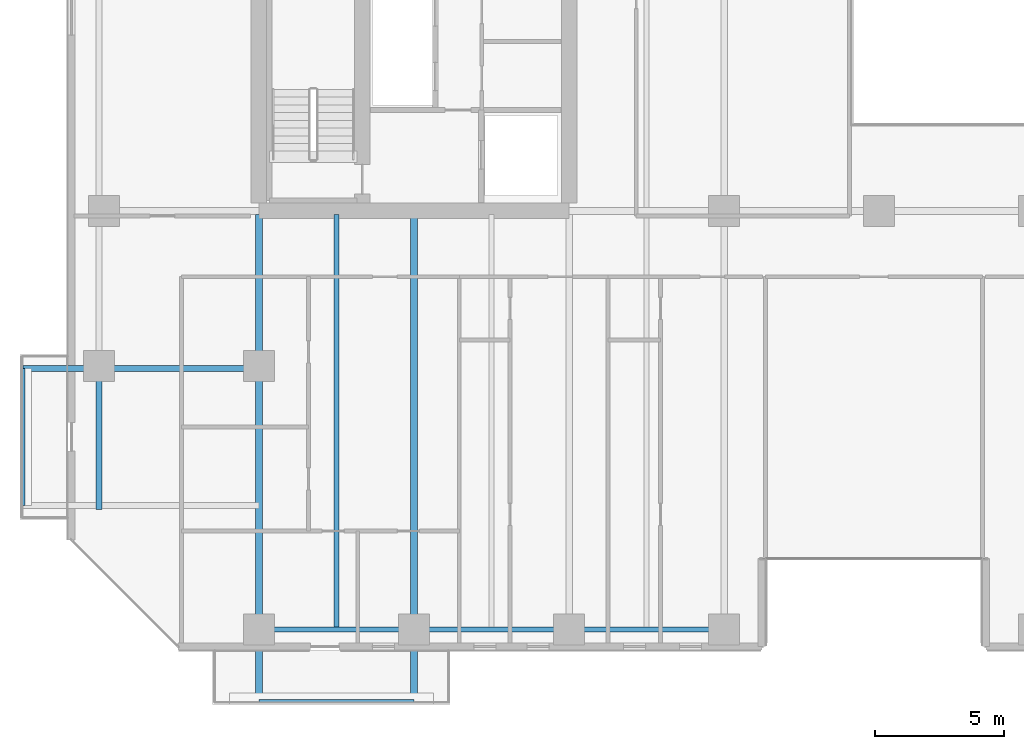
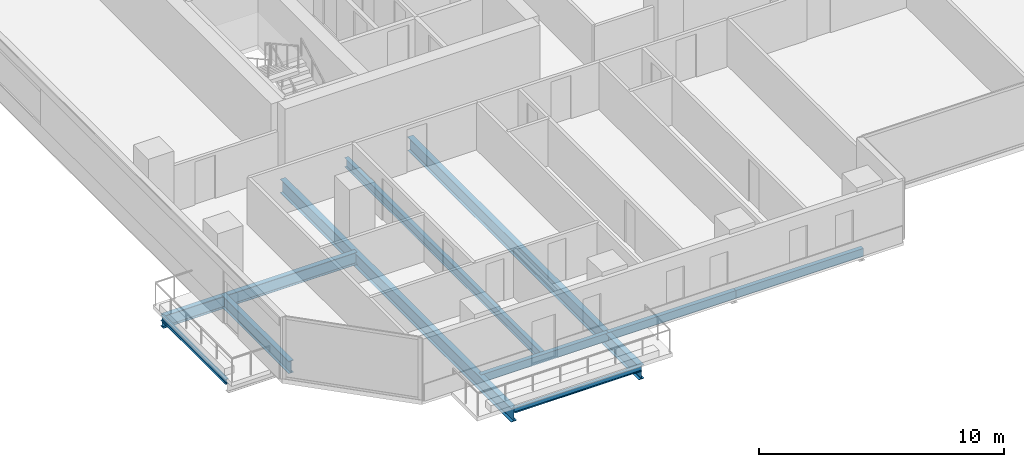
# One storey, part 3 of 33: 10 beams.
"""IFC4 building model written with IfcOpenShell, lengths in metres."""

from ifc_helpers import new_model, si_unit, direction, frame, origin, origin_2d, place, context, subcontext, project, spatial, hollow_rectangle, i_section, extrude, material, material_profile, profile_set, type_object, element, save


model = new_model("IFC4")

# Units and contexts
model_context = context("Model", 3, precision=1e-05, world=origin(), true_north=direction((0.0, 1.0)))
body_context = subcontext(model_context, "Body", "Model", "MODEL_VIEW")
ifc_project = project(units=[si_unit("LENGTHUNIT", "METRE"), si_unit("AREAUNIT", "SQUARE_METRE"), si_unit("VOLUMEUNIT", "CUBIC_METRE"), si_unit("PLANEANGLEUNIT", "RADIAN"), si_unit("MASSUNIT", "GRAM", prefix="KILO")], contexts=[model_context])

# Site, building, storey
site_placement = place(None, origin())
site = spatial("IfcSite", under=ifc_project, at=site_placement, CompositionType="ELEMENT")
building_placement = place(site_placement, origin())
building = spatial("IfcBuilding", under=site, at=building_placement, Name="Tanjung Sevakor Pilgrim Tower", CompositionType="ELEMENT")
storey_placement = place(building_placement, frame((0.0, 0.0, 38.93994140625)))
storey = spatial("IfcBuildingStorey", under=building, at=storey_placement, Name="L10", CompositionType="ELEMENT", Elevation=38.93994140625)

# Beams
ifc_material_1 = material(Name="Steel S355J2", Category="steel")
ifc_material_profile_1 = material_profile(ifc_material_1, i_section(OverallWidth=0.25439453125, OverallDepth=0.6875, WebThickness=0.01318359375, FlangeThickness=0.02099609375, FilletRadius=0.01513671875, at=origin_2d()))
ifc_profile_set_1 = profile_set([ifc_material_profile_1], Name="Steel S355J2")
beam_type_1 = type_object("IfcBeamType", Name="BM-B-G2-UB_686x254x152", PredefinedType="BEAM", material=ifc_profile_set_1)
for number, where, z_axis, x_axis, name in (
    (1, (24.0, 24.466064453125, -0.563720703125), (0.0, -1.0, 0.0), (1.0, 0.0, 0.0), "L10 Balcony Cantilever Beam MAIN-S1-1"),
    (2, (30.0, 24.466064453125, -0.563720703125), (0.0, -1.0, 0.0), (1.0, 0.0, 0.0), "L10 Balcony Cantilever Beam MAIN-S1-2"),
):
    element("IfcBeam", number, at=place(storey_placement, frame(where, z_axis=z_axis, x_axis=x_axis)), inside=storey, type_object=beam_type_1, Name=name, PredefinedType="BEAM", context=body_context, shape_type="SweptSolid", body=[
        extrude(i_section(OverallWidth=0.25439453125, OverallDepth=0.6875, WebThickness=0.01318359375, FlangeThickness=0.02099609375, FilletRadius=0.01513671875, at=origin_2d()), origin(), (0.0, 0.0, 1.0), 18.845947265625),
    ])
ifc_material_2 = material(Name="Steel S355J2", Category="steel")
ifc_material_profile_2 = material_profile(ifc_material_2, i_section(OverallWidth=0.22900390625, OverallDepth=0.6123046875, WebThickness=0.011962890625, FlangeThickness=0.01953125, FilletRadius=0.0126953125, at=origin_2d()))
ifc_profile_set_2 = profile_set([ifc_material_profile_2], Name="Steel S355J2")
beam_type_2 = type_object("IfcBeamType", Name="BM-B-G4-UB_610x229x125", PredefinedType="BEAM", material=ifc_profile_set_2)
beam_1_placement = place(storey_placement, frame((17.800048828125, 18.60009765625, -0.526123046875), z_axis=(0.0, -1.0, 0.0), x_axis=(1.0, 0.0, 0.0)))
element("IfcBeam", 3, at=beam_1_placement, inside=storey, type_object=beam_type_2, Name="L10 Short-End Edge Extension S-W", PredefinedType="BEAM", context=body_context, shape_type="SweptSolid", body=[
    extrude(i_section(OverallWidth=0.22900390625, OverallDepth=0.6123046875, WebThickness=0.011962890625, FlangeThickness=0.01953125, FilletRadius=0.0126953125, at=origin_2d()), origin(), (0.0, 0.0, 1.0), 5.550048828125),
])
beam_2_placement = place(storey_placement, frame((24.0, 18.5, -0.526123046875), z_axis=(-1.0, 0.0, 0.0), x_axis=(0.0, -1.0, 0.0)))
element("IfcBeam", 4, at=beam_2_placement, inside=storey, type_object=beam_type_2, Name="L10 Balcony Overhanging Beam MAIN-W1-2", PredefinedType="BEAM", context=body_context, shape_type="SweptSolid", body=[
    extrude(i_section(OverallWidth=0.22900390625, OverallDepth=0.6123046875, WebThickness=0.011962890625, FlangeThickness=0.01953125, FilletRadius=0.0126953125, at=origin_2d()), origin(), (0.0, 0.0, 1.0), 9.1298828125),
])
ifc_material_3 = material(Name="Steel S355J2", Category="steel")
ifc_material_profile_3 = material_profile(ifc_material_3, i_section(OverallWidth=0.19140625, OverallDepth=0.4599609375, WebThickness=0.010009765625, FlangeThickness=0.01611328125, FilletRadius=0.01025390625, at=origin_2d()))
ifc_profile_set_3 = profile_set([ifc_material_profile_3], Name="Steel S355J2")
beam_type_3 = type_object("IfcBeamType", Name="BM-B-J2-UB_457x191x82", PredefinedType="JOIST", material=ifc_profile_set_3)
beam_3_placement = place(storey_placement, frame((27.0, 8.5, -0.449951171875), z_axis=(0.0, 1.0, 0.0), x_axis=(-1.0, 0.0, 0.0)))
element("IfcBeam", 5, at=beam_3_placement, inside=storey, type_object=beam_type_3, Name="L10 MAIN Joist 001", PredefinedType="JOIST", context=body_context, shape_type="SweptSolid", body=[
    extrude(i_section(OverallWidth=0.19140625, OverallDepth=0.4599609375, WebThickness=0.010009765625, FlangeThickness=0.01611328125, FilletRadius=0.01025390625, at=origin_2d()), origin(), (0.0, 0.0, 1.0), 15.966064453125),
])
ifc_material_4 = material(Name="Steel S355J2", Category="steel")
ifc_material_profile_4 = material_profile(ifc_material_4, i_section(OverallWidth=0.146484375, OverallDepth=0.256103515625, WebThickness=0.00634765625, FlangeThickness=0.010986328125, FilletRadius=0.007568359375, at=origin_2d()))
ifc_profile_set_4 = profile_set([ifc_material_profile_4], Name="Steel S355J2")
beam_type_4 = type_object("IfcBeamType", Name="BM-B-J6-UB_254x146x37", PredefinedType="JOIST", material=ifc_profile_set_4)
beam_4_placement = place(storey_placement, frame((24.0, 5.6201171875, -0.327880859375), z_axis=(1.0, 0.0, 0.0), x_axis=(0.0, 1.0, 0.0)))
element("IfcBeam", 6, at=beam_4_placement, inside=storey, type_object=beam_type_4, Name="L10 Balcony Rim Tie MAIN-S1", PredefinedType="JOIST", context=body_context, shape_type="SweptSolid", body=[
    extrude(i_section(OverallWidth=0.146484375, OverallDepth=0.256103515625, WebThickness=0.00634765625, FlangeThickness=0.010986328125, FilletRadius=0.007568359375, at=origin_2d()), origin(), (0.0, 0.0, 1.0), 6.0),
])
beam_5_placement = place(storey_placement, frame((14.8701171875, 13.199951171875, -0.327880859375), z_axis=(0.0, 1.0, 0.0), x_axis=(-1.0, 0.0, 0.0)))
element("IfcBeam", 7, at=beam_5_placement, inside=storey, type_object=beam_type_4, Name="L10 Balcony Rim Tie MAIN-W1", PredefinedType="JOIST", context=body_context, shape_type="SweptSolid", body=[
    extrude(i_section(OverallWidth=0.146484375, OverallDepth=0.256103515625, WebThickness=0.00634765625, FlangeThickness=0.010986328125, FilletRadius=0.007568359375, at=origin_2d()), origin(), (0.0, 0.0, 1.0), 5.300048828125),
])
ifc_material_5 = material(Name="Steel S355J2", Category="steel")
ifc_material_profile_5 = material_profile(ifc_material_5, hollow_rectangle(XDim=0.199951171875, YDim=0.39990234375, WallThickness=0.01611328125, at=origin_2d()))
ifc_profile_set_5 = profile_set([ifc_material_profile_5], Name="Steel S355J2")
beam_type_5 = type_object("IfcBeamType", Name="BM-B-SP2-RHS_400x200x16", PredefinedType="SPANDREL", material=ifc_profile_set_5)
for number, where, z_axis, x_axis, name in (
    (8, (24.0, 8.39990234375, -0.419921875), (1.0, 0.0, 0.0), (0.0, 1.0, 0.0), "L10 Spandrel MAIN S-01"),
    (9, (30.0, 8.39990234375, -0.419921875), (1.0, 0.0, 0.0), (0.0, 1.0, 0.0), "L10 Spandrel MAIN S-03"),
    (10, (36.0, 8.39990234375, -0.419921875), (1.0, 0.0, 0.0), (0.0, 1.0, 0.0), "L10 Spandrel MAIN S-05"),
):
    element("IfcBeam", number, at=place(storey_placement, frame(where, z_axis=z_axis, x_axis=x_axis)), inside=storey, type_object=beam_type_5, Name=name, PredefinedType="SPANDREL", context=body_context, shape_type="SweptSolid", body=[
        extrude(hollow_rectangle(XDim=0.199951171875, YDim=0.39990234375, WallThickness=0.01611328125, at=origin_2d()), origin(), (0.0, 0.0, 1.0), 6.0),
    ])

save(model, "model.ifc")
